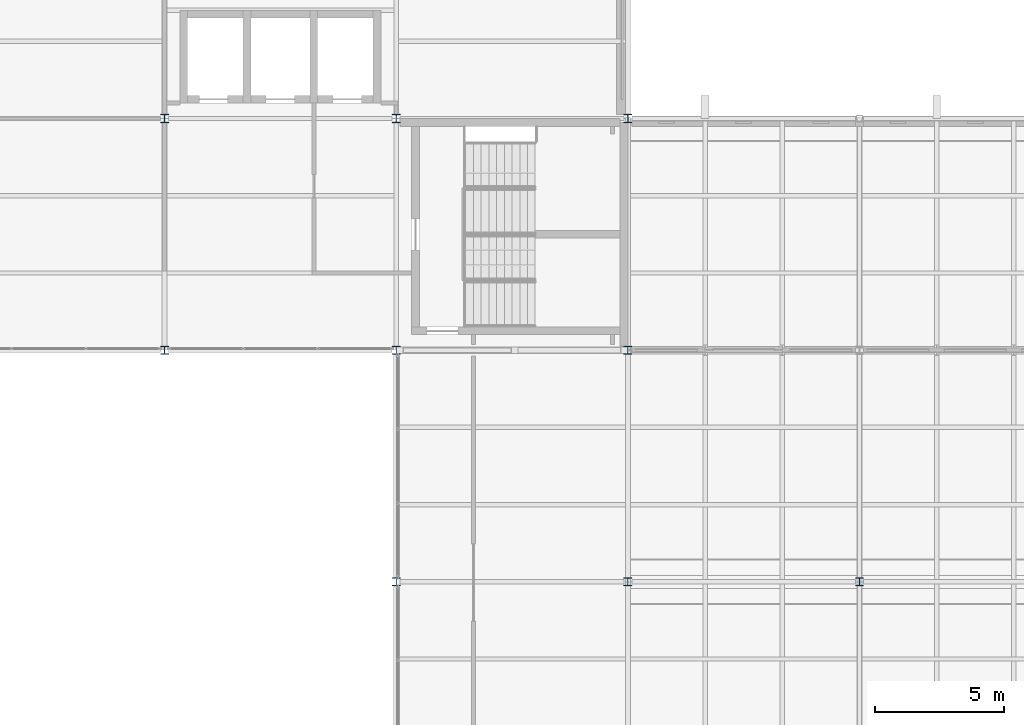
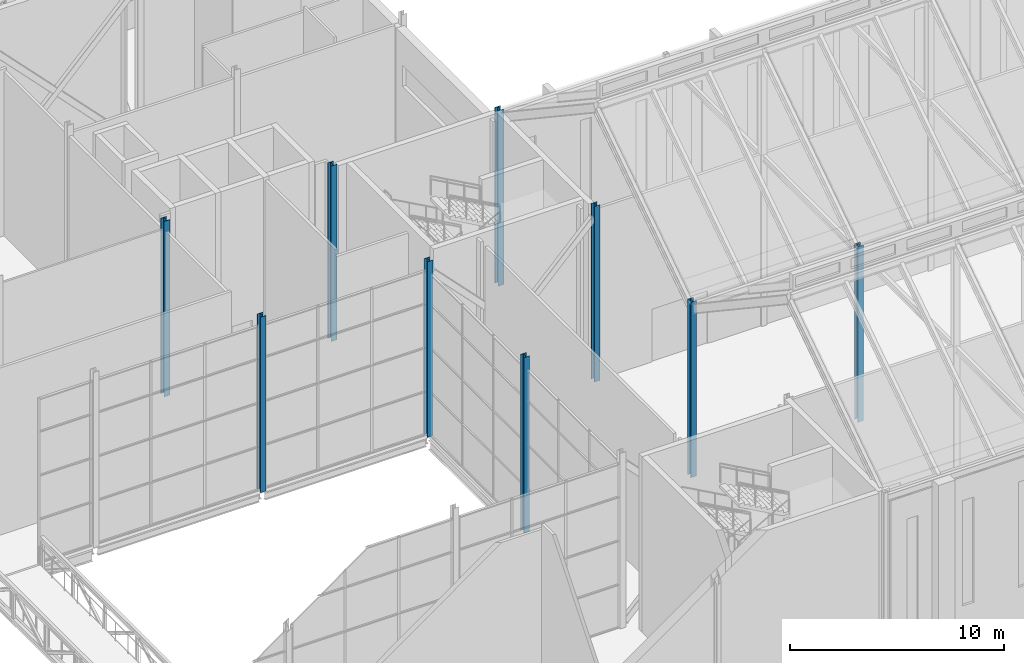
# One storey, part 8 of 111: 9 columns.
"""IFC4 building model written with IfcOpenShell, lengths in metres."""

import ifcopenshell
import ifcopenshell.guid

model = None  # the IFC model being written
_history = None  # IfcOwnerHistory: only IFC2X3 demands one
_inside = {}  # id of a spatial element -> (the spatial element, [elements in it])
_under = {}  # id of a project, library or spatial element -> (it, [spatial elements below it])
_declared = {}  # id of a project -> (the project, [libraries it declares])
_typed = {}  # id of a type object -> (the type object, [elements of that type])
_made_of = {}  # id of a material, layer set ... -> (it, [elements and type objects made of it])


def new_model(schema):
    """Start an empty IFC model of exactly this schema.

    Asked for "IFC4X3", IfcOpenShell would pick the latest addendum, in which some entities
    have other attributes; the version numbers below select the first issue.
    IFC2X3 requires an IfcOwnerHistory on every rooted entity: one is made here for all.
    """
    global model, _history
    if schema == "IFC4X3":
        model = ifcopenshell.file(schema_version=(4, 3, 0, 0))
    else:
        model = ifcopenshell.file(schema=schema)
    _inside.clear()
    _under.clear()
    _declared.clear()
    _typed.clear()
    _made_of.clear()
    _history = None
    if model.schema == "IFC2X3":
        org = make("IfcOrganization", Name="unknown")
        user = make(
            "IfcPersonAndOrganization",
            ThePerson=make("IfcPerson", FamilyName="unknown"),
            TheOrganization=org,
        )
        app = make(
            "IfcApplication",
            ApplicationDeveloper=org,
            Version="unknown",
            ApplicationFullName="unknown",
            ApplicationIdentifier="unknown",
        )
        _history = make(
            "IfcOwnerHistory",
            OwningUser=user,
            OwningApplication=app,
            ChangeAction="ADDED",
            CreationDate=0,
        )
    return model


def make(cls, **values):
    """One entity of the class cls with the attributes given. An attribute that is None is left unset."""
    return model.create_entity(
        cls, **{name: value for name, value in values.items() if value is not None}
    )


def rooted(cls, **values):
    """An entity with a GlobalId (a new one), such as an element, a storey or a relation."""
    return make(cls, GlobalId=ifcopenshell.guid.new(), OwnerHistory=_history, **values)


def si_unit(unit_type, name, prefix=None):
    """IfcSIUnit, for example si_unit("LENGTHUNIT", "METRE", prefix="MILLI")."""
    return make("IfcSIUnit", UnitType=unit_type, Prefix=prefix, Name=name)


def assignment(units):
    """IfcUnitAssignment: the units of a project."""
    return None if units is None else make("IfcUnitAssignment", Units=units)


def point(xyz):
    """IfcCartesianPoint."""
    return None if xyz is None else make("IfcCartesianPoint", Coordinates=xyz)


def direction(xyz):
    """IfcDirection."""
    return None if xyz is None else make("IfcDirection", DirectionRatios=xyz)


def frame(location, z_axis=None, x_axis=None):
    """IfcAxis2Placement3D, a coordinate frame: its origin and axes. An axis left out is left unset."""
    return make(
        "IfcAxis2Placement3D",
        Location=point(location),
        Axis=direction(z_axis),
        RefDirection=direction(x_axis),
    )


def frame_2d(location, x_axis=None):
    """IfcAxis2Placement2D, a coordinate frame in the plane: its origin and x axis."""
    return make(
        "IfcAxis2Placement2D", Location=point(location), RefDirection=direction(x_axis)
    )


def origin():
    """The frame at (0, 0, 0) with its axes left unset."""
    return frame((0.0, 0.0, 0.0))


def origin_2d():
    """The frame at (0, 0) in the plane with its x axis left unset."""
    return frame_2d((0.0, 0.0))


def place(relative_to, where):
    """IfcLocalPlacement: puts the frame where relative to a parent placement (None: the world)."""
    return make(
        "IfcLocalPlacement", PlacementRelTo=relative_to, RelativePlacement=where
    )


def context(
    kind, dimensions, precision=None, world=None, true_north=None, identifier=None
):
    """IfcGeometricRepresentationContext, for example the 3D "Model" context."""
    return make(
        "IfcGeometricRepresentationContext",
        ContextIdentifier=identifier,
        ContextType=kind,
        CoordinateSpaceDimension=dimensions,
        Precision=precision,
        WorldCoordinateSystem=world,
        TrueNorth=true_north,
    )


def subcontext(parent, identifier, kind, view, scale=None):
    """IfcGeometricRepresentationSubContext, for example "Body" below "Model"."""
    return make(
        "IfcGeometricRepresentationSubContext",
        ContextIdentifier=identifier,
        ContextType=kind,
        ParentContext=parent,
        TargetScale=scale,
        TargetView=view,
    )


def project(units=None, contexts=None):
    """IfcProject with its units and contexts."""
    return rooted(
        "IfcProject",
        Name="project",
        RepresentationContexts=contexts,
        UnitsInContext=assignment(units),
    )


def spatial(cls, under=None, at=None, **own):
    """A site, building, storey or space (cls), placed at a placement, below another one or the project."""
    s = rooted(cls, ObjectPlacement=at, **own)
    if under is not None:
        _under.setdefault(under.id(), (under, []))[1].append(s)
    return s


def profile(cls, at=None, kind="AREA", **sizes):
    """A parametric profile (cls). Its sizes go by their IFC names, for example OverallWidth=200.0."""
    return make(cls, ProfileType=kind, Position=at, **sizes)


def i_section(**sizes):
    """IfcIShapeProfileDef."""
    return profile("IfcIShapeProfileDef", **sizes)


def extrude(swept, where, along, depth):
    """IfcExtrudedAreaSolid: the profile swept, set in the frame where, extruded along a direction by depth."""
    return make(
        "IfcExtrudedAreaSolid",
        SweptArea=swept,
        Position=where,
        ExtrudedDirection=direction(along),
        Depth=depth,
    )


def shape(context_of_items, identifier, shape_type, items):
    """IfcShapeRepresentation: the items that make up one representation, for example the "Body"."""
    return make(
        "IfcShapeRepresentation",
        ContextOfItems=context_of_items,
        RepresentationIdentifier=identifier,
        RepresentationType=shape_type,
        Items=items,
    )


def material(Name=None, Category=None):
    """IfcMaterial."""
    return make("IfcMaterial", Name=Name, Category=Category)


def material_profile(
    of_material, cross_section, Name=None, Category=None, Priority=None
):
    """IfcMaterialProfile: a cross section and its material."""
    return make(
        "IfcMaterialProfile",
        Name=Name,
        Material=of_material,
        Profile=cross_section,
        Priority=Priority,
        Category=Category,
    )


def profile_set(profiles, Name=None, composite=None):
    """IfcMaterialProfileSet."""
    return make(
        "IfcMaterialProfileSet",
        Name=Name,
        MaterialProfiles=profiles,
        CompositeProfile=composite,
    )


def made_of(thing, what):
    """Note that an element or type object is made of a material, layer set ...; save() writes the relation."""
    if what is not None:
        _made_of.setdefault(what.id(), (what, []))[1].append(thing)
    return thing


def type_object(cls, material=None, **own):
    """A type object (cls), such as IfcWallType, which elements share."""
    return made_of(rooted(cls, **own), material)


def element(
    cls,
    number,
    at=None,
    inside=None,
    cuts=None,
    type_object=None,
    material=None,
    context=None,
    identifier="Body",
    shape_type=None,
    held_by="IfcProductDefinitionShape",
    body=None,
    shapes=None,
    **own,
):
    """One element of the class cls, such as IfcWall. Its Tag is "e" and its number.

    at: its placement. inside: the storey or other place that contains it. cuts: it is an
    opening in that element (IfcRelVoidsElement). A single representation is given by context,
    identifier, shape_type and body (its items); several are given by shapes. held_by: the class
    of the entity that holds the representations. save() writes the other relations.
    """
    e = rooted(cls, Tag="e%d" % number, ObjectPlacement=at, **own)
    if body is not None:
        shapes = [shape(context, identifier, shape_type, body)]
    if shapes is not None:
        e.Representation = make(held_by, Representations=shapes)
    if inside is not None:
        _inside.setdefault(inside.id(), (inside, []))[1].append(e)
    if cuts is not None:
        rooted(
            "IfcRelVoidsElement", RelatingBuildingElement=cuts, RelatedOpeningElement=e
        )
    if type_object is not None:
        _typed.setdefault(type_object.id(), (type_object, []))[1].append(e)
    return made_of(e, material)


def aggregate(whole, parts):
    """IfcRelAggregates: a whole, such as a stair, and the parts it consists of."""
    return rooted("IfcRelAggregates", RelatingObject=whole, RelatedObjects=parts)


def save(model, path):
    """Write the relations noted so far, then the file.

    IfcRelAggregates (storeys below a building ...), IfcRelContainedInSpatialStructure (elements
    in a storey), IfcRelDefinesByType, IfcRelAssociatesMaterial and IfcRelDeclares: one each for
    every whole, place, type object, material and project.
    """
    for whole, parts in _under.values():
        aggregate(whole, parts)
    for where, things in _inside.values():
        rooted(
            "IfcRelContainedInSpatialStructure",
            RelatedElements=things,
            RelatingStructure=where,
        )
    for kind, things in _typed.values():
        rooted("IfcRelDefinesByType", RelatedObjects=things, RelatingType=kind)
    for what, things in _made_of.values():
        rooted("IfcRelAssociatesMaterial", RelatedObjects=things, RelatingMaterial=what)
    for by, libraries in _declared.values():
        rooted("IfcRelDeclares", RelatingContext=by, RelatedDefinitions=libraries)
    model.write(path)


model = new_model("IFC4")

# Units and contexts
model_context = context("Model", 3, precision=1e-05, world=origin(), true_north=direction((0.0, 1.0)))
body_context = subcontext(model_context, "Body", "Model", "MODEL_VIEW")
ifc_project = project(units=[si_unit("LENGTHUNIT", "METRE"), si_unit("AREAUNIT", "SQUARE_METRE"), si_unit("VOLUMEUNIT", "CUBIC_METRE"), si_unit("PLANEANGLEUNIT", "RADIAN"), si_unit("MASSUNIT", "GRAM", prefix="KILO")], contexts=[model_context])

# Site, building, storey
site_placement = place(None, origin())
site = spatial("IfcSite", under=ifc_project, at=site_placement, CompositionType="ELEMENT")
building_placement = place(site_placement, origin())
building = spatial("IfcBuilding", under=site, at=building_placement, Name="Shorebreak Coast Museum", CompositionType="ELEMENT")
storey_placement = place(building_placement, frame((0.0, 0.0, 16.0)))
storey = spatial("IfcBuildingStorey", under=building, at=storey_placement, Name="L03", CompositionType="ELEMENT", Elevation=16.0)

# Columns
ifc_material_1 = material(Name="Steel Grade 300", Category="steel")
ifc_material_profile_1 = material_profile(ifc_material_1, i_section(OverallWidth=0.30908203125, OverallDepth=0.320556640625, WebThickness=0.013916015625, FlangeThickness=0.021728515625, FilletRadius=0.0166015625, at=origin_2d()), Name="310UC137")
ifc_profile_set_1 = profile_set([ifc_material_profile_1], Name="Steel Grade 300")
column_type_1 = type_object("IfcColumnType", Name="Column 310UC137", PredefinedType="COLUMN", material=ifc_profile_set_1)
for number, where, z_axis, x_axis, name in (
    (1, (108.0, 72.0, 0.0), (0.0, 0.0, 1.0), (1.0, 0.0, 0.0), "Column L03 13J"),
    (2, (99.0, 81.0, 0.0), (0.0, 0.0, 1.0), (1.0, 0.0, 0.0), "Column L03 12K"),
    (3, (108.0, 81.0, 0.0), (0.0, 0.0, 1.0), (1.0, 0.0, 0.0), "Column L03 13K"),
):
    element("IfcColumn", number, at=place(storey_placement, frame(where, z_axis=z_axis, x_axis=x_axis)), inside=storey, type_object=column_type_1, Name=name, PredefinedType="COLUMN", context=body_context, shape_type="SweptSolid", body=[
        extrude(i_section(OverallWidth=0.30908203125, OverallDepth=0.320556640625, WebThickness=0.013916015625, FlangeThickness=0.021728515625, FilletRadius=0.0166015625, at=origin_2d()), origin(), (0.0, 0.0, 1.0), 10.0),
    ])
ifc_material_2 = material(Name="Steel Grade 300", Category="steel")
ifc_material_profile_2 = material_profile(ifc_material_2, i_section(OverallWidth=0.31103515625, OverallDepth=0.3271484375, WebThickness=0.015625, FlangeThickness=0.02490234375, FilletRadius=0.0166015625, at=origin_2d()), Name="310UC158")
ifc_profile_set_2 = profile_set([ifc_material_profile_2], Name="Steel Grade 300")
column_type_2 = type_object("IfcColumnType", Name="Column 310UC158", PredefinedType="COLUMN", material=ifc_profile_set_2)
for number, where, z_axis, x_axis, name in (
    (4, (99.0, 90.0, 0.0), (0.0, 0.0, 1.0), (1.0, 0.0, 0.0), "Column L03 12L"),
    (5, (108.0, 90.0, 0.0), (0.0, 0.0, 1.0), (1.0, 0.0, 0.0), "Column L03 13L"),
    (6, (117.0, 90.0, 0.0), (0.0, 0.0, 1.0), (1.0, 0.0, 0.0), "Column L03 14L"),
):
    element("IfcColumn", number, at=place(storey_placement, frame(where, z_axis=z_axis, x_axis=x_axis)), inside=storey, type_object=column_type_2, Name=name, PredefinedType="COLUMN", context=body_context, shape_type="SweptSolid", body=[
        extrude(i_section(OverallWidth=0.31103515625, OverallDepth=0.3271484375, WebThickness=0.015625, FlangeThickness=0.02490234375, FilletRadius=0.0166015625, at=origin_2d()), origin(), (0.0, 0.0, 1.0), 10.0),
    ])
ifc_material_3 = material(Name="Steel Grade 300", Category="steel")
ifc_material_profile_3 = material_profile(ifc_material_3, i_section(OverallWidth=0.304931640625, OverallDepth=0.30810546875, WebThickness=0.010009765625, FlangeThickness=0.015380859375, FilletRadius=0.0166015625, at=origin_2d()), Name="310UC96.8")
ifc_profile_set_3 = profile_set([ifc_material_profile_3], Name="Steel Grade 300")
column_type_3 = type_object("IfcColumnType", Name="Column 310UC96.8", PredefinedType="COLUMN", material=ifc_profile_set_3)
for number, where, z_axis, x_axis, name in (
    (7, (117.0, 72.0, 0.0), (0.0, 0.0, 1.0), (1.0, 0.0, 0.0), "Column L03 14J"),
    (8, (126.0, 72.0, 0.0), (0.0, 0.0, 1.0), (1.0, 0.0, 0.0), "Column L03 15J"),
    (9, (117.0, 81.0, 0.0), (0.0, 0.0, 1.0), (1.0, 0.0, 0.0), "Column L03 14K"),
):
    element("IfcColumn", number, at=place(storey_placement, frame(where, z_axis=z_axis, x_axis=x_axis)), inside=storey, type_object=column_type_3, Name=name, PredefinedType="COLUMN", context=body_context, shape_type="SweptSolid", body=[
        extrude(i_section(OverallWidth=0.304931640625, OverallDepth=0.30810546875, WebThickness=0.010009765625, FlangeThickness=0.015380859375, FilletRadius=0.0166015625, at=origin_2d()), origin(), (0.0, 0.0, 1.0), 10.0),
    ])

save(model, "model.ifc")
